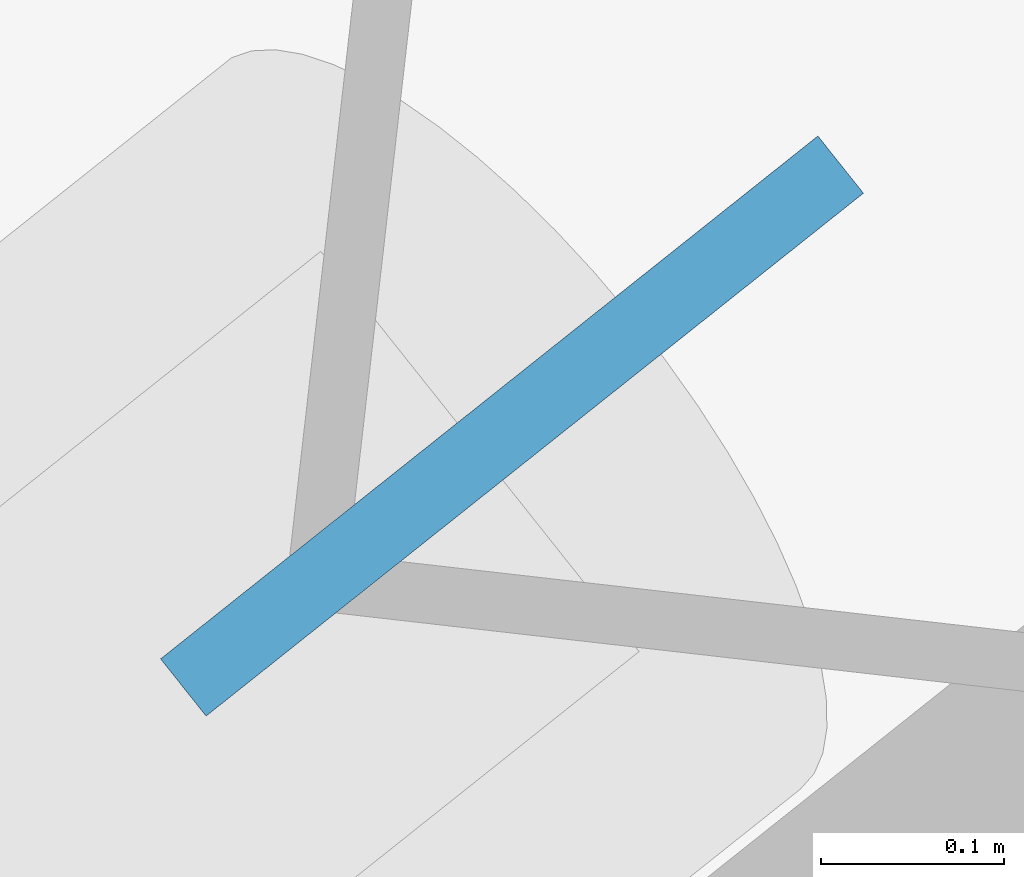
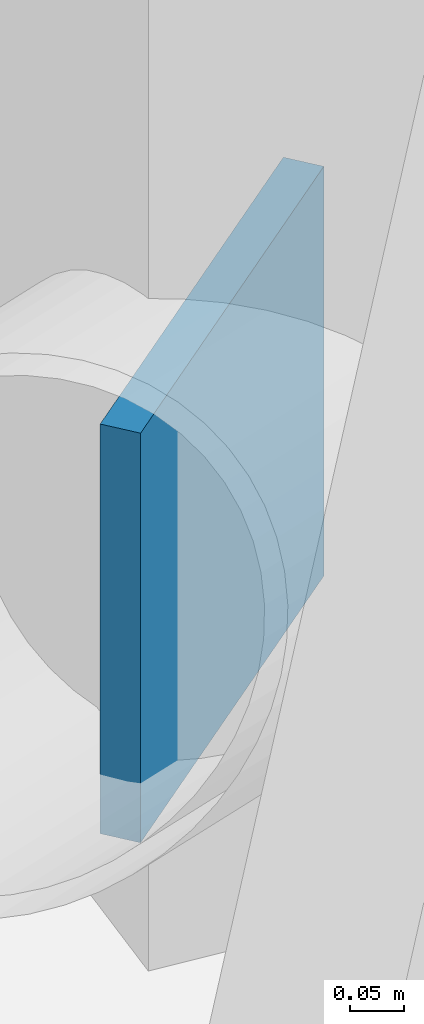
# One storey, part 16 of 19: 1 discrete accessory.
"""IFC4 building model written with IfcOpenShell, lengths in metres."""

from ifc_helpers import new_model, si_unit, direction, frame, origin, origin_2d, place, context, subcontext, project, spatial, rectangle, extrude, material, type_object, element, save


model = new_model("IFC4")

# Units and contexts
model_context = context("Model", 3, precision=1e-05, world=origin(), true_north=direction((0.0, 1.0)))
body_context = subcontext(model_context, "Body", "Model", "MODEL_VIEW")
ifc_project = project(units=[si_unit("LENGTHUNIT", "METRE"), si_unit("AREAUNIT", "SQUARE_METRE"), si_unit("VOLUMEUNIT", "CUBIC_METRE"), si_unit("PLANEANGLEUNIT", "RADIAN"), si_unit("MASSUNIT", "GRAM", prefix="KILO")], contexts=[model_context])

# Site, building, storey
site_placement = place(None, origin())
site = spatial("IfcSite", under=ifc_project, at=site_placement, CompositionType="ELEMENT")
building_placement = place(site_placement, origin())
building = spatial("IfcBuilding", under=site, at=building_placement, Name="Tavrogorsk Clinical Tower", CompositionType="ELEMENT")
storey_placement = place(building_placement, frame((0.0, 0.0, 101.39990234375)))
storey = spatial("IfcBuildingStorey", under=building, at=storey_placement, Name="L22", CompositionType="ELEMENT", Elevation=101.39990234375)

# Discrete accessory
ifc_material = material(Name="Structural steel S440", Category="steel")
discrete_accessory_type = type_object("IfcDiscreteAccessoryType", Name="GussetPlateBracket_25", PredefinedType="BRACKET", material=ifc_material)
discrete_accessory_placement = place(storey_placement, frame((-27.045654296875, 25.592041015625, 0.195068359375), z_axis=(0.0, 0.0, 1.0), x_axis=(-0.782608156852, -0.622514636638, 0.0)))
element("IfcDiscreteAccessory", 1, at=discrete_accessory_placement, inside=storey, type_object=discrete_accessory_type, Name="L22 Brace Gusset Plate EXOCRN-L22-3-A", PredefinedType="BRACKET", context=body_context, shape_type="SweptSolid", body=[
    extrude(rectangle(XDim=0.4599609375, YDim=0.0400390625, at=origin_2d()), origin(), (0.0, 0.0, 1.0), 0.4599609375),
])

save(model, "model.ifc")
